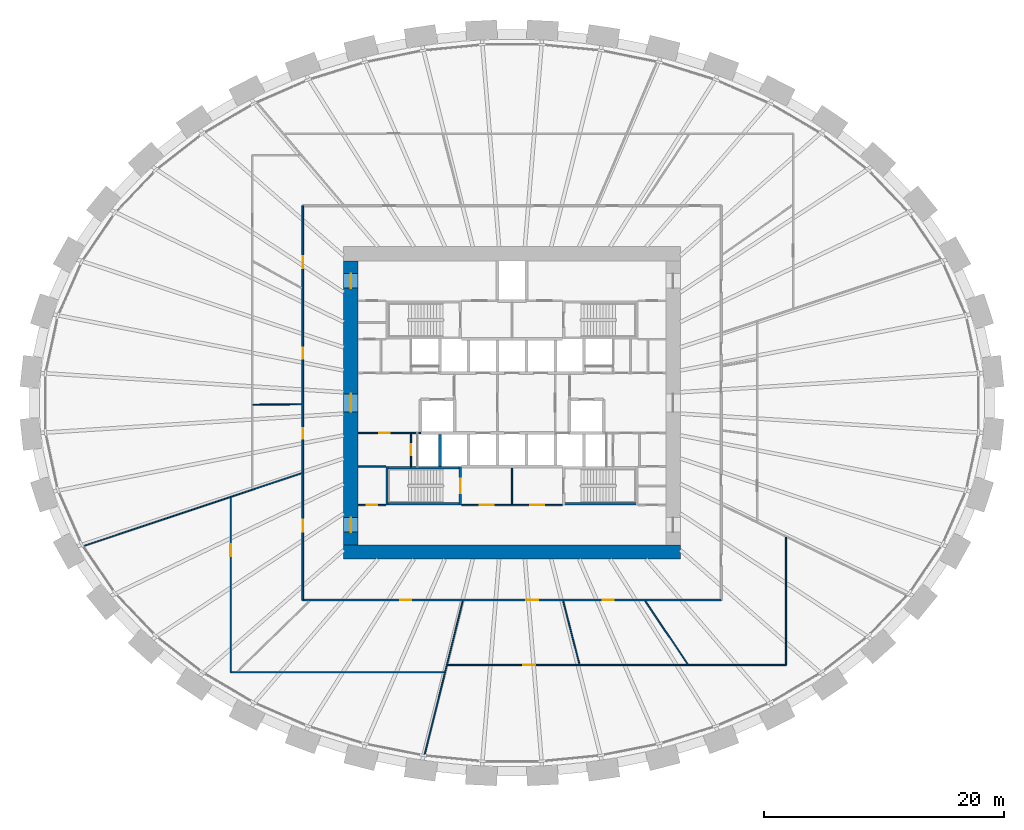
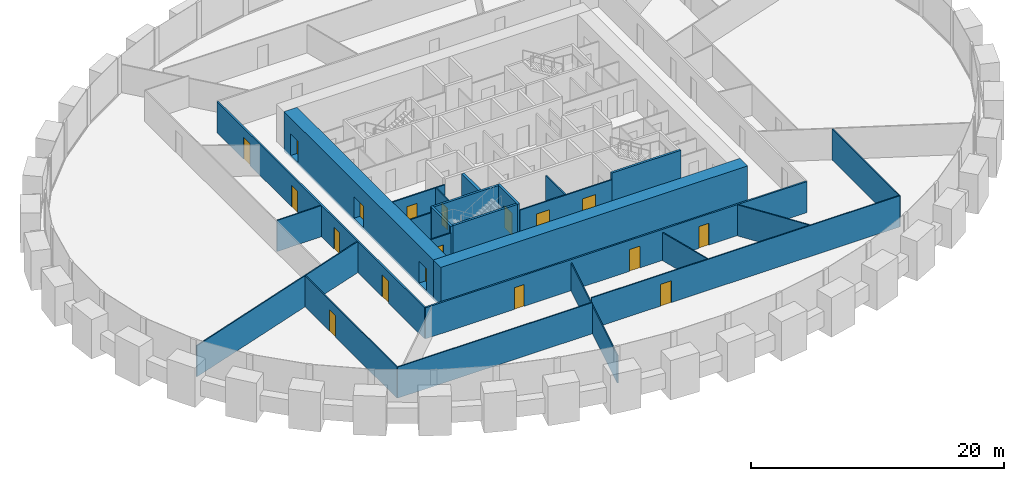
# One storey, part 6 of 11: 25 walls, 18 doors, 18 openings.
"""IFC4 building model written with IfcOpenShell, lengths in metres."""

import ifcopenshell
import ifcopenshell.guid

model = None  # the IFC model being written
_history = None  # IfcOwnerHistory: only IFC2X3 demands one
_inside = {}  # id of a spatial element -> (the spatial element, [elements in it])
_under = {}  # id of a project, library or spatial element -> (it, [spatial elements below it])
_declared = {}  # id of a project -> (the project, [libraries it declares])
_typed = {}  # id of a type object -> (the type object, [elements of that type])
_made_of = {}  # id of a material, layer set ... -> (it, [elements and type objects made of it])


def new_model(schema):
    """Start an empty IFC model of exactly this schema.

    Asked for "IFC4X3", IfcOpenShell would pick the latest addendum, in which some entities
    have other attributes; the version numbers below select the first issue.
    IFC2X3 requires an IfcOwnerHistory on every rooted entity: one is made here for all.
    """
    global model, _history
    if schema == "IFC4X3":
        model = ifcopenshell.file(schema_version=(4, 3, 0, 0))
    else:
        model = ifcopenshell.file(schema=schema)
    _inside.clear()
    _under.clear()
    _declared.clear()
    _typed.clear()
    _made_of.clear()
    _history = None
    if model.schema == "IFC2X3":
        org = make("IfcOrganization", Name="unknown")
        user = make(
            "IfcPersonAndOrganization",
            ThePerson=make("IfcPerson", FamilyName="unknown"),
            TheOrganization=org,
        )
        app = make(
            "IfcApplication",
            ApplicationDeveloper=org,
            Version="unknown",
            ApplicationFullName="unknown",
            ApplicationIdentifier="unknown",
        )
        _history = make(
            "IfcOwnerHistory",
            OwningUser=user,
            OwningApplication=app,
            ChangeAction="ADDED",
            CreationDate=0,
        )
    return model


def make(cls, **values):
    """One entity of the class cls with the attributes given. An attribute that is None is left unset."""
    return model.create_entity(
        cls, **{name: value for name, value in values.items() if value is not None}
    )


def rooted(cls, **values):
    """An entity with a GlobalId (a new one), such as an element, a storey or a relation."""
    return make(cls, GlobalId=ifcopenshell.guid.new(), OwnerHistory=_history, **values)


def si_unit(unit_type, name, prefix=None):
    """IfcSIUnit, for example si_unit("LENGTHUNIT", "METRE", prefix="MILLI")."""
    return make("IfcSIUnit", UnitType=unit_type, Prefix=prefix, Name=name)


def assignment(units):
    """IfcUnitAssignment: the units of a project."""
    return None if units is None else make("IfcUnitAssignment", Units=units)


def point(xyz):
    """IfcCartesianPoint."""
    return None if xyz is None else make("IfcCartesianPoint", Coordinates=xyz)


def direction(xyz):
    """IfcDirection."""
    return None if xyz is None else make("IfcDirection", DirectionRatios=xyz)


def frame(location, z_axis=None, x_axis=None):
    """IfcAxis2Placement3D, a coordinate frame: its origin and axes. An axis left out is left unset."""
    return make(
        "IfcAxis2Placement3D",
        Location=point(location),
        Axis=direction(z_axis),
        RefDirection=direction(x_axis),
    )


def frame_2d(location, x_axis=None):
    """IfcAxis2Placement2D, a coordinate frame in the plane: its origin and x axis."""
    return make(
        "IfcAxis2Placement2D", Location=point(location), RefDirection=direction(x_axis)
    )


def origin():
    """The frame at (0, 0, 0) with its axes left unset."""
    return frame((0.0, 0.0, 0.0))


def place(relative_to, where):
    """IfcLocalPlacement: puts the frame where relative to a parent placement (None: the world)."""
    return make(
        "IfcLocalPlacement", PlacementRelTo=relative_to, RelativePlacement=where
    )


def context(
    kind, dimensions, precision=None, world=None, true_north=None, identifier=None
):
    """IfcGeometricRepresentationContext, for example the 3D "Model" context."""
    return make(
        "IfcGeometricRepresentationContext",
        ContextIdentifier=identifier,
        ContextType=kind,
        CoordinateSpaceDimension=dimensions,
        Precision=precision,
        WorldCoordinateSystem=world,
        TrueNorth=true_north,
    )


def subcontext(parent, identifier, kind, view, scale=None):
    """IfcGeometricRepresentationSubContext, for example "Body" below "Model"."""
    return make(
        "IfcGeometricRepresentationSubContext",
        ContextIdentifier=identifier,
        ContextType=kind,
        ParentContext=parent,
        TargetScale=scale,
        TargetView=view,
    )


def project(units=None, contexts=None):
    """IfcProject with its units and contexts."""
    return rooted(
        "IfcProject",
        Name="project",
        RepresentationContexts=contexts,
        UnitsInContext=assignment(units),
    )


def spatial(cls, under=None, at=None, **own):
    """A site, building, storey or space (cls), placed at a placement, below another one or the project."""
    s = rooted(cls, ObjectPlacement=at, **own)
    if under is not None:
        _under.setdefault(under.id(), (under, []))[1].append(s)
    return s


def profile(cls, at=None, kind="AREA", **sizes):
    """A parametric profile (cls). Its sizes go by their IFC names, for example OverallWidth=200.0."""
    return make(cls, ProfileType=kind, Position=at, **sizes)


def rectangle(**sizes):
    """IfcRectangleProfileDef."""
    return profile("IfcRectangleProfileDef", **sizes)


def extrude(swept, where, along, depth):
    """IfcExtrudedAreaSolid: the profile swept, set in the frame where, extruded along a direction by depth."""
    return make(
        "IfcExtrudedAreaSolid",
        SweptArea=swept,
        Position=where,
        ExtrudedDirection=direction(along),
        Depth=depth,
    )


def shape(context_of_items, identifier, shape_type, items):
    """IfcShapeRepresentation: the items that make up one representation, for example the "Body"."""
    return make(
        "IfcShapeRepresentation",
        ContextOfItems=context_of_items,
        RepresentationIdentifier=identifier,
        RepresentationType=shape_type,
        Items=items,
    )


def source(mapping_origin, context_of_items, identifier, shape_type, items):
    """IfcRepresentationMap: a shape defined once, which mapped items show again and again."""
    return make(
        "IfcRepresentationMap",
        MappingOrigin=mapping_origin,
        MappedRepresentation=shape(context_of_items, identifier, shape_type, items),
    )


def transform(
    local_origin,
    x_axis=None,
    y_axis=None,
    z_axis=None,
    scale=None,
    scale2=None,
    scale3=None,
    uniform=True,
):
    """IfcCartesianTransformationOperator3D, or its non-uniform kind. x_axis, y_axis, z_axis: its Axis1, 2, 3."""
    if uniform:
        return make(
            "IfcCartesianTransformationOperator3D",
            Axis1=direction(x_axis),
            Axis2=direction(y_axis),
            LocalOrigin=point(local_origin),
            Scale=scale,
            Axis3=direction(z_axis),
        )
    return make(
        "IfcCartesianTransformationOperator3DnonUniform",
        Axis1=direction(x_axis),
        Axis2=direction(y_axis),
        LocalOrigin=point(local_origin),
        Scale=scale,
        Axis3=direction(z_axis),
        Scale2=scale2,
        Scale3=scale3,
    )


def mapped(mapping_source, mapping_target):
    """IfcMappedItem: shows the shape of a source again, moved by a transform."""
    return make(
        "IfcMappedItem", MappingSource=mapping_source, MappingTarget=mapping_target
    )


def material(Name=None, Category=None):
    """IfcMaterial."""
    return make("IfcMaterial", Name=Name, Category=Category)


def layer(
    of_material, thickness, ventilated=None, Name=None, Category=None, Priority=None
):
    """IfcMaterialLayer: one layer of a wall or slab, of a material (None: an air gap)."""
    return make(
        "IfcMaterialLayer",
        Material=of_material,
        LayerThickness=thickness,
        IsVentilated=ventilated,
        Name=Name,
        Category=Category,
        Priority=Priority,
    )


def layer_set(layers, Name=None):
    """IfcMaterialLayerSet."""
    return make("IfcMaterialLayerSet", MaterialLayers=layers, LayerSetName=Name)


def made_of(thing, what):
    """Note that an element or type object is made of a material, layer set ...; save() writes the relation."""
    if what is not None:
        _made_of.setdefault(what.id(), (what, []))[1].append(thing)
    return thing


def type_object(cls, material=None, **own):
    """A type object (cls), such as IfcWallType, which elements share."""
    return made_of(rooted(cls, **own), material)


def element(
    cls,
    number,
    at=None,
    inside=None,
    cuts=None,
    type_object=None,
    material=None,
    context=None,
    identifier="Body",
    shape_type=None,
    held_by="IfcProductDefinitionShape",
    body=None,
    shapes=None,
    **own,
):
    """One element of the class cls, such as IfcWall. Its Tag is "e" and its number.

    at: its placement. inside: the storey or other place that contains it. cuts: it is an
    opening in that element (IfcRelVoidsElement). A single representation is given by context,
    identifier, shape_type and body (its items); several are given by shapes. held_by: the class
    of the entity that holds the representations. save() writes the other relations.
    """
    e = rooted(cls, Tag="e%d" % number, ObjectPlacement=at, **own)
    if body is not None:
        shapes = [shape(context, identifier, shape_type, body)]
    if shapes is not None:
        e.Representation = make(held_by, Representations=shapes)
    if inside is not None:
        _inside.setdefault(inside.id(), (inside, []))[1].append(e)
    if cuts is not None:
        rooted(
            "IfcRelVoidsElement", RelatingBuildingElement=cuts, RelatedOpeningElement=e
        )
    if type_object is not None:
        _typed.setdefault(type_object.id(), (type_object, []))[1].append(e)
    return made_of(e, material)


def fill(opening, filler):
    """IfcRelFillsElement: the door or window that sits in an opening."""
    return rooted(
        "IfcRelFillsElement",
        RelatingOpeningElement=opening,
        RelatedBuildingElement=filler,
    )


def aggregate(whole, parts):
    """IfcRelAggregates: a whole, such as a stair, and the parts it consists of."""
    return rooted("IfcRelAggregates", RelatingObject=whole, RelatedObjects=parts)


def save(model, path):
    """Write the relations noted so far, then the file.

    IfcRelAggregates (storeys below a building ...), IfcRelContainedInSpatialStructure (elements
    in a storey), IfcRelDefinesByType, IfcRelAssociatesMaterial and IfcRelDeclares: one each for
    every whole, place, type object, material and project.
    """
    for whole, parts in _under.values():
        aggregate(whole, parts)
    for where, things in _inside.values():
        rooted(
            "IfcRelContainedInSpatialStructure",
            RelatedElements=things,
            RelatingStructure=where,
        )
    for kind, things in _typed.values():
        rooted("IfcRelDefinesByType", RelatedObjects=things, RelatingType=kind)
    for what, things in _made_of.values():
        rooted("IfcRelAssociatesMaterial", RelatedObjects=things, RelatingMaterial=what)
    for by, libraries in _declared.values():
        rooted("IfcRelDeclares", RelatingContext=by, RelatedDefinitions=libraries)
    model.write(path)


model = new_model("IFC4")

# Units and contexts
model_context = context("Model", 3, precision=1e-05, world=origin(), true_north=direction((0.0, 1.0)))
body_context = subcontext(model_context, "Body", "Model", "MODEL_VIEW")
ifc_project = project(units=[si_unit("LENGTHUNIT", "METRE"), si_unit("AREAUNIT", "SQUARE_METRE"), si_unit("VOLUMEUNIT", "CUBIC_METRE"), si_unit("PLANEANGLEUNIT", "RADIAN"), si_unit("MASSUNIT", "GRAM", prefix="KILO")], contexts=[model_context])

# Site, building, storey
site_placement = place(None, origin())
site = spatial("IfcSite", under=ifc_project, at=site_placement, CompositionType="ELEMENT")
building_placement = place(site_placement, origin())
building = spatial("IfcBuilding", under=site, at=building_placement, Name="Embergate Tower", CompositionType="ELEMENT")
storey_placement = place(building_placement, frame((0.0, 0.0, 49.699951171875)))
storey = spatial("IfcBuildingStorey", under=building, at=storey_placement, Name="L08", CompositionType="ELEMENT", Elevation=49.699951171875)

# Wall
ifc_material_1 = material(Name="Concrete C80", Category="concrete")
ifc_layer_1 = layer(ifc_material_1, 1.199951171875)
ifc_layer_set_1 = layer_set([ifc_layer_1], Name="Concrete C80")
wall_type_1 = type_object("IfcWallType", Name="Core outer wall C80 1200", PredefinedType="SHEAR", material=ifc_layer_set_1)
shared_shape_1 = source(origin(), body_context, "Body", "SweptSolid", [
    extrude(rectangle(XDim=28.0, YDim=1.199951171875, at=frame_2d((14.0, 0.0))), origin(), (0.0, 0.0, 1.0), 3.800048828125),
])
wall_1_placement = place(storey_placement, frame((-14.0, -12.39990234375, -0.199951171875), z_axis=(0.0, 0.0, 1.0), x_axis=(1.0, 0.0, 0.0)))
element("IfcWall", 1, at=wall_1_placement, inside=storey, type_object=wall_type_1, Name="CW-L08-S", PredefinedType="SHEAR", context=body_context, shape_type="MappedRepresentation", body=[
    mapped(shared_shape_1, transform((0.0, 0.0, 0.0))),
])

# Wall, openings, doors
shared_shape_2 = source(origin(), body_context, "Body", "SweptSolid", [
    extrude(rectangle(XDim=23.60009765625, YDim=1.199951171875, at=frame_2d((11.800048828125, 0.0))), origin(), (0.0, 0.0, 1.0), 3.800048828125),
])
wall_2_placement = place(storey_placement, frame((-13.39990234375, -11.800048828125, -0.199951171875), z_axis=(0.0, 0.0, 1.0), x_axis=(0.0, 1.0, 0.0)))
wall_2 = element("IfcWall", 2, at=wall_2_placement, inside=storey, type_object=wall_type_1, Name="CW-L08-W", PredefinedType="SHEAR", context=body_context, shape_type="MappedRepresentation", body=[
    mapped(shared_shape_2, transform((0.0, 0.0, 0.0))),
])
shared_shape_3 = source(origin(), body_context, "Body", "SweptSolid", [
    extrude(rectangle(XDim=1.199951171875, YDim=2.10009765625, at=frame_2d((0.60009765625, 1.050048828125))), frame((0.0, 0.60986328125, 0.0), z_axis=(0.0, -1.0, 0.0), x_axis=(1.0, 0.0, 0.0)), (0.0, 0.0, 1.0), 1.219970703125),
])
opening_1_placement = place(wall_2_placement, frame((21.35009765625, 0.0, 0.199951171875)))
opening_1 = element("IfcOpeningElement", 3, at=opening_1_placement, cuts=wall_2, Name="Opening IF-1", PredefinedType="OPENING", context=body_context, shape_type="MappedRepresentation", body=[
    mapped(shared_shape_3, transform((0.0, 0.0, 0.0))),
])
opening_2_placement = place(wall_2_placement, frame((1.050048828125, 0.0, 0.199951171875)))
opening_2 = element("IfcOpeningElement", 4, at=opening_2_placement, cuts=wall_2, Name="Opening IF-1", PredefinedType="OPENING", context=body_context, shape_type="MappedRepresentation", body=[
    mapped(shared_shape_3, transform((0.0, 0.0, 0.0))),
])
shared_shape_4 = source(origin(), body_context, "Body", "SweptSolid", [
    extrude(rectangle(XDim=1.5, YDim=2.10009765625, at=frame_2d((0.75, 1.050048828125))), frame((0.0, 0.60986328125, 0.0), z_axis=(0.0, -1.0, 0.0), x_axis=(1.0, 0.0, 0.0)), (0.0, 0.0, 1.0), 1.219970703125),
])
opening_3_placement = place(wall_2_placement, frame((11.050048828125, 0.0, 0.199951171875)))
opening_3 = element("IfcOpeningElement", 5, at=opening_3_placement, cuts=wall_2, Name="Opening IF-3", PredefinedType="OPENING", context=body_context, shape_type="MappedRepresentation", body=[
    mapped(shared_shape_4, transform((0.0, 0.0, 0.0))),
])
ifc_material_2 = material(Name="Escape fire door 1200")
door_type_1 = type_object("IfcDoorType", Name="Escape fire door 1200", OperationType="SINGLE_SWING_LEFT", PredefinedType="DOOR", material=ifc_material_2)
shared_shape_5 = source(origin(), body_context, "Body", "SweptSolid", [
    extrude(rectangle(XDim=1.199951171875, YDim=2.10009765625, at=frame_2d((0.60009765625, 1.050048828125))), frame((0.0, 0.02490234375, 0.0), z_axis=(0.0, -1.0, 0.0), x_axis=(1.0, 0.0, 0.0)), (0.0, 0.0, 1.0), 0.050048828125),
])
door_1_placement = place(opening_1_placement, origin())
door_1 = element("IfcDoor", 6, at=door_1_placement, inside=storey, type_object=door_type_1, Name="IF-1 door", OperationType="SINGLE_SWING_LEFT", OverallHeight=2.10009765625, OverallWidth=1.199951171875, PredefinedType="DOOR", context=body_context, shape_type="MappedRepresentation", body=[
    mapped(shared_shape_5, transform((0.0, 0.0, 0.0))),
])
fill(opening_1, door_1)
door_2_placement = place(opening_2_placement, origin())
door_2 = element("IfcDoor", 7, at=door_2_placement, inside=storey, type_object=door_type_1, Name="IF-1 door", OperationType="SINGLE_SWING_LEFT", OverallHeight=2.10009765625, OverallWidth=1.199951171875, PredefinedType="DOOR", context=body_context, shape_type="MappedRepresentation", body=[
    mapped(shared_shape_5, transform((0.0, 0.0, 0.0))),
])
fill(opening_2, door_2)
ifc_material_3 = material(Name="Lobby fire door pair 1500")
door_type_2 = type_object("IfcDoorType", Name="Lobby fire door pair 1500", OperationType="DOUBLE_DOOR_SINGLE_SWING", PredefinedType="DOOR", material=ifc_material_3)
shared_shape_6 = source(origin(), body_context, "Body", "SweptSolid", [
    extrude(rectangle(XDim=1.5, YDim=2.10009765625, at=frame_2d((0.75, 1.050048828125))), frame((0.0, 0.02490234375, 0.0), z_axis=(0.0, -1.0, 0.0), x_axis=(1.0, 0.0, 0.0)), (0.0, 0.0, 1.0), 0.050048828125),
])
door_3_placement = place(opening_3_placement, origin())
door_3 = element("IfcDoor", 8, at=door_3_placement, inside=storey, type_object=door_type_2, Name="IF-3 door", OperationType="DOUBLE_DOOR_SINGLE_SWING", OverallHeight=2.10009765625, OverallWidth=1.5, PredefinedType="DOOR", context=body_context, shape_type="MappedRepresentation", body=[
    mapped(shared_shape_6, transform((0.0, 0.0, 0.0))),
])
fill(opening_3, door_3)

ifc_material_4 = material(Name="Corridor wall dry-lined 150")
ifc_layer_2 = layer(ifc_material_4, 0.14990234375)
ifc_layer_set_2 = layer_set([ifc_layer_2], Name="Corridor wall dry-lined 150")
wall_type_2 = type_object("IfcWallType", Name="Corridor wall dry-lined 150", PredefinedType="PARTITIONING", material=ifc_layer_set_2)
shared_shape_7 = source(origin(), body_context, "Body", "SweptSolid", [
    extrude(rectangle(XDim=34.7998046875, YDim=0.14990234375, at=frame_2d((17.39990234375, 0.0))), origin(), (0.0, 0.0, 1.0), 3.0),
])
wall_3_placement = place(storey_placement, frame((17.39990234375, -16.39990234375, 0.0), z_axis=(0.0, 0.0, 1.0), x_axis=(-1.0, 0.0, 0.0)))
wall_3 = element("IfcWall", 9, at=wall_3_placement, inside=storey, type_object=wall_type_2, Name="IP-2 wall", PredefinedType="PARTITIONING", context=body_context, shape_type="MappedRepresentation", body=[
    mapped(shared_shape_7, transform((0.0, 0.0, 0.0))),
])
shared_shape_8 = source(origin(), body_context, "Body", "SweptSolid", [
    extrude(rectangle(XDim=0.89990234375, YDim=2.10009765625, at=frame_2d((0.449951171875, 1.050048828125))), frame((0.0, 0.0849609375, 0.0), z_axis=(0.0, -1.0, 0.0), x_axis=(1.0, 0.0, 0.0)), (0.0, 0.0, 1.0), 0.169921875),
])
opening_4_placement = place(wall_3_placement, frame((25.799072265625, 0.0, 0.0)))
opening_4 = element("IfcOpeningElement", 10, at=opening_4_placement, cuts=wall_3, Name="Opening IF-1c", PredefinedType="OPENING", context=body_context, shape_type="MappedRepresentation", body=[
    mapped(shared_shape_8, transform((0.0, 0.0, 0.0))),
])
shared_shape_9 = source(origin(), body_context, "Body", "SweptSolid", [
    extrude(rectangle(XDim=1.0, YDim=2.10009765625, at=frame_2d((0.5, 1.050048828125))), frame((0.0, 0.0849609375, 0.0), z_axis=(0.0, -1.0, 0.0), x_axis=(1.0, 0.0, 0.0)), (0.0, 0.0, 1.0), 0.169921875),
])
opening_5_placement = place(wall_3_placement, frame((15.2099609375, 0.0, 0.0)))
opening_5 = element("IfcOpeningElement", 11, at=opening_5_placement, cuts=wall_3, Name="Opening ID-2", PredefinedType="OPENING", context=body_context, shape_type="MappedRepresentation", body=[
    mapped(shared_shape_9, transform((0.0, 0.0, 0.0))),
])
opening_6_placement = place(wall_3_placement, frame((8.947998046875, 0.0, 0.0)))
opening_6 = element("IfcOpeningElement", 12, at=opening_6_placement, cuts=wall_3, Name="Opening IF-1c", PredefinedType="OPENING", context=body_context, shape_type="MappedRepresentation", body=[
    mapped(shared_shape_8, transform((0.0, 0.0, 0.0))),
])
ifc_material_5 = material(Name="Escape fire door 900")
door_type_3 = type_object("IfcDoorType", Name="Escape fire door 900", OperationType="SINGLE_SWING_LEFT", PredefinedType="DOOR", material=ifc_material_5)
shared_shape_10 = source(origin(), body_context, "Body", "SweptSolid", [
    extrude(rectangle(XDim=0.89990234375, YDim=2.10009765625, at=frame_2d((0.449951171875, 1.050048828125))), frame((0.0, 0.02490234375, 0.0), z_axis=(0.0, -1.0, 0.0), x_axis=(1.0, 0.0, 0.0)), (0.0, 0.0, 1.0), 0.050048828125),
])
door_4_placement = place(opening_4_placement, origin())
door_4 = element("IfcDoor", 13, at=door_4_placement, inside=storey, type_object=door_type_3, Name="IF-1 door", OperationType="SINGLE_SWING_LEFT", OverallHeight=2.10009765625, OverallWidth=0.89990234375, PredefinedType="DOOR", context=body_context, shape_type="MappedRepresentation", body=[
    mapped(shared_shape_10, transform((0.0, 0.0, 0.0))),
])
fill(opening_4, door_4)
door_5_placement = place(opening_6_placement, origin())
door_5 = element("IfcDoor", 14, at=door_5_placement, inside=storey, type_object=door_type_3, Name="IF-1 door", OperationType="SINGLE_SWING_RIGHT", OverallHeight=2.10009765625, OverallWidth=0.89990234375, PredefinedType="DOOR", context=body_context, shape_type="MappedRepresentation", body=[
    mapped(shared_shape_10, transform((0.0, 0.0, 0.0))),
])
fill(opening_6, door_5)
ifc_material_6 = material(Name="Interior door 1000")
door_type_4 = type_object("IfcDoorType", Name="Interior door 1000", OperationType="SINGLE_SWING_LEFT", PredefinedType="DOOR", material=ifc_material_6)
shared_shape_11 = source(origin(), body_context, "Body", "SweptSolid", [
    extrude(rectangle(XDim=1.0, YDim=2.10009765625, at=frame_2d((0.5, 1.050048828125))), frame((0.0, 0.02490234375, 0.0), z_axis=(0.0, -1.0, 0.0), x_axis=(1.0, 0.0, 0.0)), (0.0, 0.0, 1.0), 0.050048828125),
])
door_6_placement = place(opening_5_placement, origin())
door_6 = element("IfcDoor", 15, at=door_6_placement, inside=storey, type_object=door_type_4, Name="ID-2 door", OperationType="SINGLE_SWING_RIGHT", OverallHeight=2.10009765625, OverallWidth=1.0, PredefinedType="DOOR", context=body_context, shape_type="MappedRepresentation", body=[
    mapped(shared_shape_11, transform((0.0, 0.0, 0.0))),
])
fill(opening_5, door_6)

shared_shape_12 = source(origin(), body_context, "Body", "SweptSolid", [
    extrude(rectangle(XDim=32.7998046875, YDim=0.14990234375, at=frame_2d((16.39990234375, 0.0))), origin(), (0.0, 0.0, 1.0), 3.0),
])
wall_4_placement = place(storey_placement, frame((-17.39990234375, -16.39990234375, 0.0), z_axis=(0.0, 0.0, 1.0), x_axis=(0.0, 1.0, 0.0)))
wall_4 = element("IfcWall", 16, at=wall_4_placement, inside=storey, type_object=wall_type_2, Name="IP-2 wall", PredefinedType="PARTITIONING", context=body_context, shape_type="MappedRepresentation", body=[
    mapped(shared_shape_12, transform((0.0, 0.0, 0.0))),
])
opening_7_placement = place(wall_4_placement, frame((5.69189453125, 0.0, 0.0)))
opening_7 = element("IfcOpeningElement", 17, at=opening_7_placement, cuts=wall_4, Name="Opening ID-2", PredefinedType="OPENING", context=body_context, shape_type="MappedRepresentation", body=[
    mapped(shared_shape_9, transform((0.0, 0.0, 0.0))),
])
opening_8_placement = place(wall_4_placement, frame((27.5869140625, 0.0, 0.0)))
opening_8 = element("IfcOpeningElement", 18, at=opening_8_placement, cuts=wall_4, Name="Opening ID-2", PredefinedType="OPENING", context=body_context, shape_type="MappedRepresentation", body=[
    mapped(shared_shape_9, transform((0.0, 0.0, 0.0))),
])
opening_9_placement = place(wall_4_placement, frame((20.080078125, 0.0, 0.0)))
opening_9 = element("IfcOpeningElement", 19, at=opening_9_placement, cuts=wall_4, Name="Opening IF-1c", PredefinedType="OPENING", context=body_context, shape_type="MappedRepresentation", body=[
    mapped(shared_shape_8, transform((0.0, 0.0, 0.0))),
])
opening_10_placement = place(wall_4_placement, frame((13.406005859375, 0.0, 0.0)))
opening_10 = element("IfcOpeningElement", 20, at=opening_10_placement, cuts=wall_4, Name="Opening IF-1c", PredefinedType="OPENING", context=body_context, shape_type="MappedRepresentation", body=[
    mapped(shared_shape_8, transform((0.0, 0.0, 0.0))),
])
door_7_placement = place(opening_9_placement, origin())
door_7 = element("IfcDoor", 21, at=door_7_placement, inside=storey, type_object=door_type_3, Name="IF-1 door", OperationType="SINGLE_SWING_LEFT", OverallHeight=2.10009765625, OverallWidth=0.89990234375, PredefinedType="DOOR", context=body_context, shape_type="MappedRepresentation", body=[
    mapped(shared_shape_10, transform((0.0, 0.0, 0.0))),
])
fill(opening_9, door_7)
door_8_placement = place(opening_10_placement, origin())
door_8 = element("IfcDoor", 22, at=door_8_placement, inside=storey, type_object=door_type_3, Name="IF-1 door", OperationType="SINGLE_SWING_LEFT", OverallHeight=2.10009765625, OverallWidth=0.89990234375, PredefinedType="DOOR", context=body_context, shape_type="MappedRepresentation", body=[
    mapped(shared_shape_10, transform((0.0, 0.0, 0.0))),
])
fill(opening_10, door_8)
door_9_placement = place(opening_7_placement, origin())
door_9 = element("IfcDoor", 23, at=door_9_placement, inside=storey, type_object=door_type_4, Name="ID-2 door", OperationType="SINGLE_SWING_LEFT", OverallHeight=2.10009765625, OverallWidth=1.0, PredefinedType="DOOR", context=body_context, shape_type="MappedRepresentation", body=[
    mapped(shared_shape_11, transform((0.0, 0.0, 0.0))),
])
fill(opening_7, door_9)
door_10_placement = place(opening_8_placement, origin())
door_10 = element("IfcDoor", 24, at=door_10_placement, inside=storey, type_object=door_type_4, Name="ID-2 door", OperationType="SINGLE_SWING_LEFT", OverallHeight=2.10009765625, OverallWidth=1.0, PredefinedType="DOOR", context=body_context, shape_type="MappedRepresentation", body=[
    mapped(shared_shape_11, transform((0.0, 0.0, 0.0))),
])
fill(opening_8, door_10)

# Wall
ifc_material_7 = material(Name="Partition dry-lined 100")
ifc_layer_3 = layer(ifc_material_7, 0.10009765625)
ifc_layer_set_3 = layer_set([ifc_layer_3], Name="Partition dry-lined 100")
wall_type_3 = type_object("IfcWallType", Name="Partition dry-lined 100", PredefinedType="PARTITIONING", material=ifc_layer_set_3)
shared_shape_13 = source(origin(), body_context, "Body", "SweptSolid", [
    extrude(rectangle(XDim=17.77197265625, YDim=0.10009765625, at=frame_2d((8.885986328125, 0.0))), origin(), (0.0, 0.0, 1.0), 3.0),
])
wall_5_placement = place(storey_placement, frame((-5.6279296875, -22.39990234375, 0.0), z_axis=(0.0, 0.0, 1.0), x_axis=(-1.0, 0.0, 0.0)))
element("IfcWall", 25, at=wall_5_placement, inside=storey, type_object=wall_type_3, Name="IP-1 wall", PredefinedType="PARTITIONING", context=body_context, shape_type="MappedRepresentation", body=[
    mapped(shared_shape_13, transform((0.0, 0.0, 0.0))),
])

# Wall, opening, door
shared_shape_14 = source(origin(), body_context, "Body", "SweptSolid", [
    extrude(rectangle(XDim=14.512939453125, YDim=0.10009765625, at=frame_2d((7.25634765625, 0.0))), origin(), (0.0, 0.0, 1.0), 3.0),
])
wall_6_placement = place(storey_placement, frame((-23.39990234375, -22.39990234375, 0.0), z_axis=(0.0, 0.0, 1.0), x_axis=(0.0, 1.0, 0.0)))
wall_6 = element("IfcWall", 26, at=wall_6_placement, inside=storey, type_object=wall_type_3, Name="IP-1 wall", PredefinedType="PARTITIONING", context=body_context, shape_type="MappedRepresentation", body=[
    mapped(shared_shape_14, transform((0.0, 0.0, 0.0))),
])
shared_shape_15 = source(origin(), body_context, "Body", "SweptSolid", [
    extrude(rectangle(XDim=1.0, YDim=2.10009765625, at=frame_2d((0.5, 1.050048828125))), frame((0.0, 0.06005859375, 0.0), z_axis=(0.0, -1.0, 0.0), x_axis=(1.0, 0.0, 0.0)), (0.0, 0.0, 1.0), 0.1201171875),
])
opening_11_placement = place(wall_6_placement, frame((9.64697265625, 0.0, 0.0)))
opening_11 = element("IfcOpeningElement", 27, at=opening_11_placement, cuts=wall_6, Name="Opening ID-2", PredefinedType="OPENING", context=body_context, shape_type="MappedRepresentation", body=[
    mapped(shared_shape_15, transform((0.0, 0.0, 0.0))),
])
door_11_placement = place(opening_11_placement, origin())
door_11 = element("IfcDoor", 28, at=door_11_placement, inside=storey, type_object=door_type_4, Name="ID-2 door", OperationType="SINGLE_SWING_RIGHT", OverallHeight=2.10009765625, OverallWidth=1.0, PredefinedType="DOOR", context=body_context, shape_type="MappedRepresentation", body=[
    mapped(shared_shape_11, transform((0.0, 0.0, 0.0))),
])
fill(opening_11, door_11)

# Walls
shared_shape_16 = source(origin(), body_context, "Body", "SweptSolid", [
    extrude(rectangle(XDim=19.182861328125, YDim=0.10009765625, at=frame_2d((9.59130859375, 0.0))), origin(), (0.0, 0.0, 1.0), 3.0),
])
wall_7_placement = place(storey_placement, frame((-17.490966796875, -5.843017578125, 0.0), z_axis=(0.0, 0.0, 1.0), x_axis=(-0.948457788594, -0.316903492022, 0.0)))
element("IfcWall", 29, at=wall_7_placement, inside=storey, type_object=wall_type_3, Name="IP-1 wall", PredefinedType="PARTITIONING", context=body_context, shape_type="MappedRepresentation", body=[
    mapped(shared_shape_16, transform((0.0, 0.0, 0.0))),
])
shared_shape_17 = source(origin(), body_context, "Body", "SweptSolid", [
    extrude(rectangle(XDim=13.22998046875, YDim=0.10009765625, at=frame_2d((6.614990234375, 0.0))), origin(), (0.0, 0.0, 1.0), 2.699951171875),
])
wall_8_placement = place(storey_placement, frame((-7.283935546875, -29.326904296875, 0.0), z_axis=(0.0, 0.0, 1.0), x_axis=(0.241041676811, 0.970514765493, 0.0)))
element("IfcWall", 30, at=wall_8_placement, inside=storey, type_object=wall_type_3, Name="IP-1 wall", PredefinedType="PARTITIONING", context=body_context, shape_type="MappedRepresentation", body=[
    mapped(shared_shape_17, transform((0.0, 0.0, 0.0))),
])
shared_shape_18 = source(origin(), body_context, "Body", "SweptSolid", [
    extrude(rectangle(XDim=5.422119140625, YDim=0.10009765625, at=frame_2d((2.7109375, 0.0))), origin(), (0.0, 0.0, 1.0), 2.699951171875),
])
wall_9_placement = place(storey_placement, frame((4.256103515625, -16.488037109375, 0.0), z_axis=(0.0, 0.0, 1.0), x_axis=(0.249902531464, -0.968270997587, 0.0)))
element("IfcWall", 31, at=wall_9_placement, inside=storey, type_object=wall_type_3, Name="IP-1 wall", PredefinedType="PARTITIONING", context=body_context, shape_type="MappedRepresentation", body=[
    mapped(shared_shape_18, transform((0.0, 0.0, 0.0))),
])

# Wall, opening, door
shared_shape_19 = source(origin(), body_context, "Body", "SweptSolid", [
    extrude(rectangle(XDim=28.151123046875, YDim=0.10009765625, at=frame_2d((14.07568359375, 0.0))), origin(), (0.0, 0.0, 1.0), 3.0),
])
wall_10_placement = place(storey_placement, frame((-5.35107421875, -21.800048828125, 0.0), z_axis=(0.0, 0.0, 1.0), x_axis=(1.0, 0.0, 0.0)))
wall_10 = element("IfcWall", 32, at=wall_10_placement, inside=storey, type_object=wall_type_3, Name="IP-1 wall", PredefinedType="PARTITIONING", context=body_context, shape_type="MappedRepresentation", body=[
    mapped(shared_shape_19, transform((0.0, 0.0, 0.0))),
])
opening_12_placement = place(wall_10_placement, frame((6.27880859375, 0.0, 0.0)))
opening_12 = element("IfcOpeningElement", 33, at=opening_12_placement, cuts=wall_10, Name="Opening ID-2", PredefinedType="OPENING", context=body_context, shape_type="MappedRepresentation", body=[
    mapped(shared_shape_15, transform((0.0, 0.0, 0.0))),
])
door_12_placement = place(opening_12_placement, origin())
door_12 = element("IfcDoor", 34, at=door_12_placement, inside=storey, type_object=door_type_4, Name="ID-2 door", OperationType="SINGLE_SWING_LEFT", OverallHeight=2.10009765625, OverallWidth=1.0, PredefinedType="DOOR", context=body_context, shape_type="MappedRepresentation", body=[
    mapped(shared_shape_11, transform((0.0, 0.0, 0.0))),
])
fill(opening_12, door_12)

# Walls
shared_shape_20 = source(origin(), body_context, "Body", "SweptSolid", [
    extrude(rectangle(XDim=6.28955078125, YDim=0.10009765625, at=frame_2d((3.144775390625, 0.0))), origin(), (0.0, 0.0, 1.0), 3.0),
])
wall_11_placement = place(storey_placement, frame((14.60791015625, -21.721923828125, 0.0), z_axis=(0.0, 0.0, 1.0), x_axis=(-0.558072710541, 0.829792052113, 0.0)))
element("IfcWall", 35, at=wall_11_placement, inside=storey, type_object=wall_type_3, Name="IP-1 wall", PredefinedType="PARTITIONING", context=body_context, shape_type="MappedRepresentation", body=[
    mapped(shared_shape_20, transform((0.0, 0.0, 0.0))),
])
shared_shape_21 = source(origin(), body_context, "Body", "SweptSolid", [
    extrude(rectangle(XDim=10.613037109375, YDim=0.10009765625, at=frame_2d((5.306640625, 0.0))), origin(), (0.0, 0.0, 1.0), 3.0),
])
wall_12_placement = place(storey_placement, frame((22.800048828125, -21.800048828125, 0.0), z_axis=(0.0, 0.0, 1.0), x_axis=(0.0, 1.0, 0.0)))
element("IfcWall", 36, at=wall_12_placement, inside=storey, type_object=wall_type_3, Name="IP-1 wall", PredefinedType="PARTITIONING", context=body_context, shape_type="MappedRepresentation", body=[
    mapped(shared_shape_21, transform((0.0, 0.0, 0.0))),
])
shared_shape_22 = source(origin(), body_context, "Body", "SweptSolid", [
    extrude(rectangle(XDim=4.074951171875, YDim=0.10009765625, at=frame_2d((2.03759765625, 0.0))), origin(), (0.0, 0.0, 1.0), 3.0),
])
wall_13_placement = place(storey_placement, frame((-17.47509765625, -0.114990234375, 0.0), z_axis=(0.0, 0.0, 1.0), x_axis=(-0.999977887551, -0.006650143522, 0.0)))
element("IfcWall", 37, at=wall_13_placement, inside=storey, type_object=wall_type_3, Name="IP-1 wall", PredefinedType="PARTITIONING", context=body_context, shape_type="MappedRepresentation", body=[
    mapped(shared_shape_22, transform((0.0, 0.0, 0.0))),
])
ifc_material_8 = material(Name="Concrete C50", Category="concrete")
ifc_layer_4 = layer(ifc_material_8, 0.25)
ifc_layer_set_4 = layer_set([ifc_layer_4], Name="Concrete C50")
wall_type_4 = type_object("IfcWallType", Name="Hoistway wall reinforced concrete 250", PredefinedType="SHEAR", material=ifc_layer_set_4)
shared_shape_23 = source(origin(), body_context, "Body", "SweptSolid", [
    extrude(rectangle(XDim=2.675048828125, YDim=0.25, at=frame_2d((1.33740234375, 0.0))), origin(), (0.0, 0.0, 1.0), 3.60009765625),
])
wall_14_placement = place(storey_placement, frame((-6.0, -5.300048828125, 0.0), z_axis=(0.0, 0.0, 1.0), x_axis=(0.0, 1.0, 0.0)))
element("IfcWall", 38, at=wall_14_placement, inside=storey, type_object=wall_type_4, Name="HW-1 wall", PredefinedType="SHEAR", context=body_context, shape_type="MappedRepresentation", body=[
    mapped(shared_shape_23, transform((0.0, 0.0, 0.0))),
])
ifc_layer_5 = layer(ifc_material_8, 0.199951171875)
ifc_layer_set_5 = layer_set([ifc_layer_5], Name="Concrete C50")
wall_type_5 = type_object("IfcWallType", Name="Stair enclosure wall reinforced concrete 250", PredefinedType="SHEAR", material=ifc_layer_set_5)
shared_shape_24 = source(origin(), body_context, "Body", "SweptSolid", [
    extrude(rectangle(XDim=6.300048828125, YDim=0.199951171875, at=frame_2d((3.14990234375, 0.0))), origin(), (0.0, 0.0, 1.0), 3.60009765625),
])
for number, where, z_axis, x_axis, name in (
    (39, (-10.5, -5.39990234375, 0.0), (0.0, 0.0, 1.0), (1.0, 0.0, 0.0), "SE-1 wall"),
    (40, (-10.5, -8.39990234375, 0.0), (0.0, 0.0, 1.0), (1.0, 0.0, 0.0), "SE-1 wall"),
    (41, (4.199951171875, -8.39990234375, 0.0), (0.0, 0.0, 1.0), (1.0, 0.0, 0.0), "SE-1 wall"),
):
    element("IfcWall", number, at=place(storey_placement, frame(where, z_axis=z_axis, x_axis=x_axis)), inside=storey, type_object=wall_type_5, Name=name, PredefinedType="SHEAR", context=body_context, shape_type="MappedRepresentation", body=[
        mapped(shared_shape_24, transform((0.0, 0.0, 0.0))),
    ])

# Wall, opening, door
ifc_material_9 = material(Name="Core partition blockwork 120")
ifc_layer_6 = layer(ifc_material_9, 0.1201171875)
ifc_layer_set_6 = layer_set([ifc_layer_6], Name="Core partition blockwork 120")
wall_type_6 = type_object("IfcWallType", Name="Core partition blockwork 120", PredefinedType="PARTITIONING", material=ifc_layer_set_6)
shared_shape_25 = source(origin(), body_context, "Body", "SweptSolid", [
    extrude(rectangle(XDim=2.739990234375, YDim=0.1201171875, at=frame_2d((1.3701171875, 0.0))), origin(), (0.0, 0.0, 1.0), 3.0),
])
wall_15_placement = place(storey_placement, frame((-8.39990234375, -2.56005859375, 0.0), z_axis=(0.0, 0.0, 1.0), x_axis=(0.0, -1.0, 0.0)))
wall_15 = element("IfcWall", 42, at=wall_15_placement, inside=storey, type_object=wall_type_6, Name="IP-3 wall", PredefinedType="PARTITIONING", context=body_context, shape_type="MappedRepresentation", body=[
    mapped(shared_shape_25, transform((0.0, 0.0, 0.0))),
])
shared_shape_26 = source(origin(), body_context, "Body", "SweptSolid", [
    extrude(rectangle(XDim=0.89990234375, YDim=2.10009765625, at=frame_2d((0.449951171875, 1.050048828125))), frame((0.0, 0.070068359375, 0.0), z_axis=(0.0, -1.0, 0.0), x_axis=(1.0, 0.0, 0.0)), (0.0, 0.0, 1.0), 0.14013671875),
])
opening_13_placement = place(wall_15_placement, frame((0.889892578125, 0.0, 0.0)))
opening_13 = element("IfcOpeningElement", 43, at=opening_13_placement, cuts=wall_15, Name="Opening ID-1", PredefinedType="OPENING", context=body_context, shape_type="MappedRepresentation", body=[
    mapped(shared_shape_26, transform((0.0, 0.0, 0.0))),
])
ifc_material_10 = material(Name="Interior door 900")
door_type_5 = type_object("IfcDoorType", Name="Interior door 900", OperationType="SINGLE_SWING_LEFT", PredefinedType="DOOR", material=ifc_material_10)
door_13_placement = place(opening_13_placement, origin())
door_13 = element("IfcDoor", 44, at=door_13_placement, inside=storey, type_object=door_type_5, Name="ID-1 door", OperationType="SINGLE_SWING_LEFT", OverallHeight=2.10009765625, OverallWidth=0.89990234375, PredefinedType="DOOR", context=body_context, shape_type="MappedRepresentation", body=[
    mapped(shared_shape_10, transform((0.0, 0.0, 0.0))),
])
fill(opening_13, door_13)

shared_shape_27 = source(origin(), body_context, "Body", "SweptSolid", [
    extrude(rectangle(XDim=5.199951171875, YDim=0.1201171875, at=frame_2d((2.60009765625, 0.0))), origin(), (0.0, 0.0, 1.0), 3.0),
])
wall_16_placement = place(storey_placement, frame((-7.60009765625, -2.5, 0.0), z_axis=(0.0, 0.0, 1.0), x_axis=(-1.0, 0.0, 0.0)))
wall_16 = element("IfcWall", 45, at=wall_16_placement, inside=storey, type_object=wall_type_6, Name="IP-3 wall", PredefinedType="PARTITIONING", context=body_context, shape_type="MappedRepresentation", body=[
    mapped(shared_shape_27, transform((0.0, 0.0, 0.0))),
])
opening_14_placement = place(wall_16_placement, frame((2.550048828125, 0.0, 0.0)))
opening_14 = element("IfcOpeningElement", 46, at=opening_14_placement, cuts=wall_16, Name="Opening ID-1", PredefinedType="OPENING", context=body_context, shape_type="MappedRepresentation", body=[
    mapped(shared_shape_26, transform((0.0, 0.0, 0.0))),
])
door_14_placement = place(opening_14_placement, origin())
door_14 = element("IfcDoor", 47, at=door_14_placement, inside=storey, type_object=door_type_5, Name="ID-1 door", OperationType="SINGLE_SWING_LEFT", OverallHeight=2.10009765625, OverallWidth=0.89990234375, PredefinedType="DOOR", context=body_context, shape_type="MappedRepresentation", body=[
    mapped(shared_shape_10, transform((0.0, 0.0, 0.0))),
])
fill(opening_14, door_14)

shared_shape_28 = source(origin(), body_context, "Body", "SweptSolid", [
    extrude(rectangle(XDim=3.199951171875, YDim=0.199951171875, at=frame_2d((1.60009765625, 0.0))), origin(), (0.0, 0.0, 1.0), 3.60009765625),
])
wall_17_placement = place(storey_placement, frame((-4.300048828125, -8.5, 0.0), z_axis=(0.0, 0.0, 1.0), x_axis=(0.0, 1.0, 0.0)))
wall_17 = element("IfcWall", 48, at=wall_17_placement, inside=storey, type_object=wall_type_5, Name="SE-1 wall", PredefinedType="SHEAR", context=body_context, shape_type="MappedRepresentation", body=[
    mapped(shared_shape_28, transform((0.0, 0.0, 0.0))),
])
shared_shape_29 = source(origin(), body_context, "Body", "SweptSolid", [
    extrude(rectangle(XDim=1.199951171875, YDim=2.10009765625, at=frame_2d((0.60009765625, 1.050048828125))), frame((0.0, 0.10986328125, 0.0), z_axis=(0.0, -1.0, 0.0), x_axis=(1.0, 0.0, 0.0)), (0.0, 0.0, 1.0), 0.219970703125),
])
opening_15_placement = place(wall_17_placement, frame((1.0, 0.0, 0.0)))
opening_15 = element("IfcOpeningElement", 49, at=opening_15_placement, cuts=wall_17, Name="Opening IF-2", PredefinedType="OPENING", context=body_context, shape_type="MappedRepresentation", body=[
    mapped(shared_shape_29, transform((0.0, 0.0, 0.0))),
])
ifc_material_11 = material(Name="Stair enclosure door 1200")
door_type_6 = type_object("IfcDoorType", Name="Stair enclosure door 1200", OperationType="SINGLE_SWING_LEFT", PredefinedType="DOOR", material=ifc_material_11)
door_15_placement = place(opening_15_placement, origin())
door_15 = element("IfcDoor", 50, at=door_15_placement, inside=storey, type_object=door_type_6, Name="IF-2 door", OperationType="SINGLE_SWING_LEFT", OverallHeight=2.10009765625, OverallWidth=1.199951171875, PredefinedType="DOOR", context=body_context, shape_type="MappedRepresentation", body=[
    mapped(shared_shape_5, transform((0.0, 0.0, 0.0))),
])
fill(opening_15, door_15)

# Walls
wall_18_placement = place(storey_placement, frame((-10.39990234375, -5.300048828125, 0.0), z_axis=(0.0, 0.0, 1.0), x_axis=(0.0, -1.0, 0.0)))
element("IfcWall", 51, at=wall_18_placement, inside=storey, type_object=wall_type_5, Name="SE-1 wall", PredefinedType="SHEAR", context=body_context, shape_type="MappedRepresentation", body=[
    mapped(shared_shape_28, transform((0.0, 0.0, 0.0))),
])
shared_shape_30 = source(origin(), body_context, "Body", "SweptSolid", [
    extrude(rectangle(XDim=3.014892578125, YDim=0.1201171875, at=frame_2d((1.50732421875, 0.0))), origin(), (0.0, 0.0, 1.0), 3.0),
])
wall_19_placement = place(storey_placement, frame((0.0, -8.43994140625, 0.0), z_axis=(0.0, 0.0, 1.0), x_axis=(0.0, 1.0, 0.0)))
element("IfcWall", 52, at=wall_19_placement, inside=storey, type_object=wall_type_6, Name="IP-3 wall", PredefinedType="PARTITIONING", context=body_context, shape_type="MappedRepresentation", body=[
    mapped(shared_shape_30, transform((0.0, 0.0, 0.0))),
])

# Wall, openings, doors
shared_shape_31 = source(origin(), body_context, "Body", "SweptSolid", [
    extrude(rectangle(XDim=8.39990234375, YDim=0.1201171875, at=frame_2d((4.199951171875, 0.0))), origin(), (0.0, 0.0, 1.0), 3.0),
])
wall_20_placement = place(storey_placement, frame((-4.199951171875, -8.5, 0.0), z_axis=(0.0, 0.0, 1.0), x_axis=(1.0, 0.0, 0.0)))
wall_20 = element("IfcWall", 53, at=wall_20_placement, inside=storey, type_object=wall_type_6, Name="IP-3 wall", PredefinedType="PARTITIONING", context=body_context, shape_type="MappedRepresentation", body=[
    mapped(shared_shape_31, transform((0.0, 0.0, 0.0))),
])
shared_shape_32 = source(origin(), body_context, "Body", "SweptSolid", [
    extrude(rectangle(XDim=1.199951171875, YDim=2.10009765625, at=frame_2d((0.60009765625, 1.050048828125))), frame((0.0, 0.070068359375, 0.0), z_axis=(0.0, -1.0, 0.0), x_axis=(1.0, 0.0, 0.0)), (0.0, 0.0, 1.0), 0.14013671875),
])
opening_16_placement = place(wall_20_placement, frame((1.5, 0.0, 0.0)))
opening_16 = element("IfcOpeningElement", 54, at=opening_16_placement, cuts=wall_20, Name="Opening IF-3f", PredefinedType="OPENING", context=body_context, shape_type="MappedRepresentation", body=[
    mapped(shared_shape_32, transform((0.0, 0.0, 0.0))),
])
opening_17_placement = place(wall_20_placement, frame((5.699951171875, 0.0, 0.0)))
opening_17 = element("IfcOpeningElement", 55, at=opening_17_placement, cuts=wall_20, Name="Opening IF-3f", PredefinedType="OPENING", context=body_context, shape_type="MappedRepresentation", body=[
    mapped(shared_shape_32, transform((0.0, 0.0, 0.0))),
])
ifc_material_12 = material(Name="Lobby fire door pair 1200")
door_type_7 = type_object("IfcDoorType", Name="Lobby fire door pair 1200", OperationType="DOUBLE_DOOR_SINGLE_SWING", PredefinedType="DOOR", material=ifc_material_12)
door_16_placement = place(opening_16_placement, origin())
door_16 = element("IfcDoor", 56, at=door_16_placement, inside=storey, type_object=door_type_7, Name="IF-3 door", OperationType="DOUBLE_DOOR_SINGLE_SWING", OverallHeight=2.10009765625, OverallWidth=1.199951171875, PredefinedType="DOOR", context=body_context, shape_type="MappedRepresentation", body=[
    mapped(shared_shape_5, transform((0.0, 0.0, 0.0))),
])
fill(opening_16, door_16)
door_17_placement = place(opening_17_placement, origin())
door_17 = element("IfcDoor", 57, at=door_17_placement, inside=storey, type_object=door_type_7, Name="IF-3 door", OperationType="DOUBLE_DOOR_SINGLE_SWING", OverallHeight=2.10009765625, OverallWidth=1.199951171875, PredefinedType="DOOR", context=body_context, shape_type="MappedRepresentation", body=[
    mapped(shared_shape_5, transform((0.0, 0.0, 0.0))),
])
fill(opening_17, door_17)

# Wall, opening, door
shared_shape_33 = source(origin(), body_context, "Body", "SweptSolid", [
    extrude(rectangle(XDim=2.300048828125, YDim=0.1201171875, at=frame_2d((1.14990234375, 0.0))), origin(), (0.0, 0.0, 1.0), 3.0),
])
wall_21_placement = place(storey_placement, frame((-10.5, -8.5, 0.0), z_axis=(0.0, 0.0, 1.0), x_axis=(-1.0, 0.0, 0.0)))
wall_21 = element("IfcWall", 58, at=wall_21_placement, inside=storey, type_object=wall_type_6, Name="IP-3 wall", PredefinedType="PARTITIONING", context=body_context, shape_type="MappedRepresentation", body=[
    mapped(shared_shape_33, transform((0.0, 0.0, 0.0))),
])
opening_18_placement = place(wall_21_placement, frame((0.699951171875, 0.0, 0.0)))
opening_18 = element("IfcOpeningElement", 59, at=opening_18_placement, cuts=wall_21, Name="Opening ID-1", PredefinedType="OPENING", context=body_context, shape_type="MappedRepresentation", body=[
    mapped(shared_shape_26, transform((0.0, 0.0, 0.0))),
])
door_18_placement = place(opening_18_placement, origin())
door_18 = element("IfcDoor", 60, at=door_18_placement, inside=storey, type_object=door_type_5, Name="ID-1 door", OperationType="SINGLE_SWING_RIGHT", OverallHeight=2.10009765625, OverallWidth=0.89990234375, PredefinedType="DOOR", context=body_context, shape_type="MappedRepresentation", body=[
    mapped(shared_shape_10, transform((0.0, 0.0, 0.0))),
])
fill(opening_18, door_18)

# Wall
wall_22_placement = place(storey_placement, frame((-12.800048828125, -5.300048828125, 0.0), z_axis=(0.0, 0.0, 1.0), x_axis=(1.0, 0.0, 0.0)))
element("IfcWall", 61, at=wall_22_placement, inside=storey, type_object=wall_type_6, Name="IP-3 wall", PredefinedType="PARTITIONING", context=body_context, shape_type="MappedRepresentation", body=[
    mapped(shared_shape_33, transform((0.0, 0.0, 0.0))),
])

save(model, "model.ifc")
